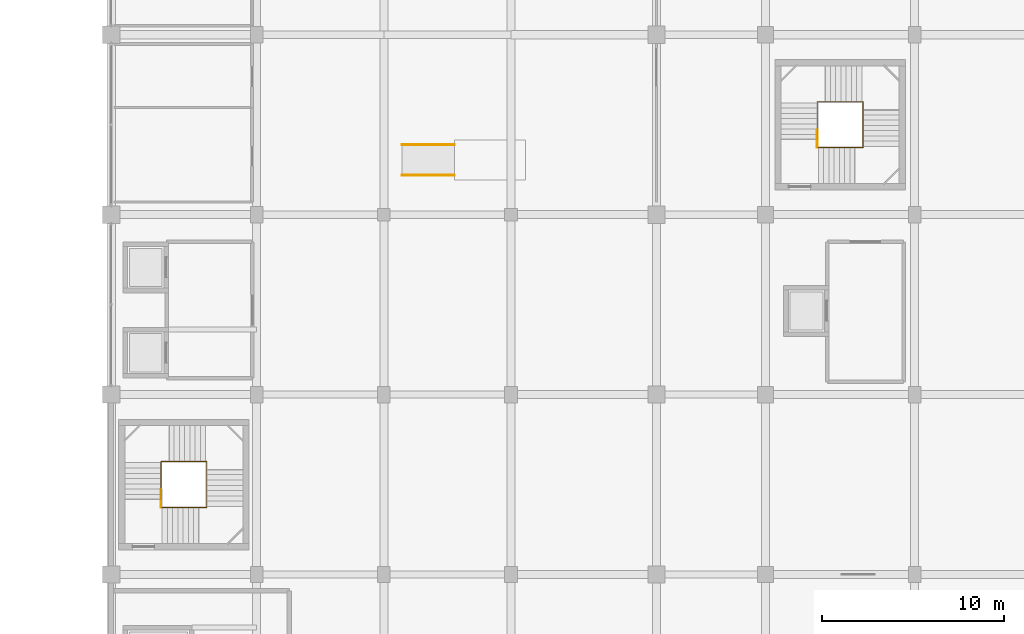
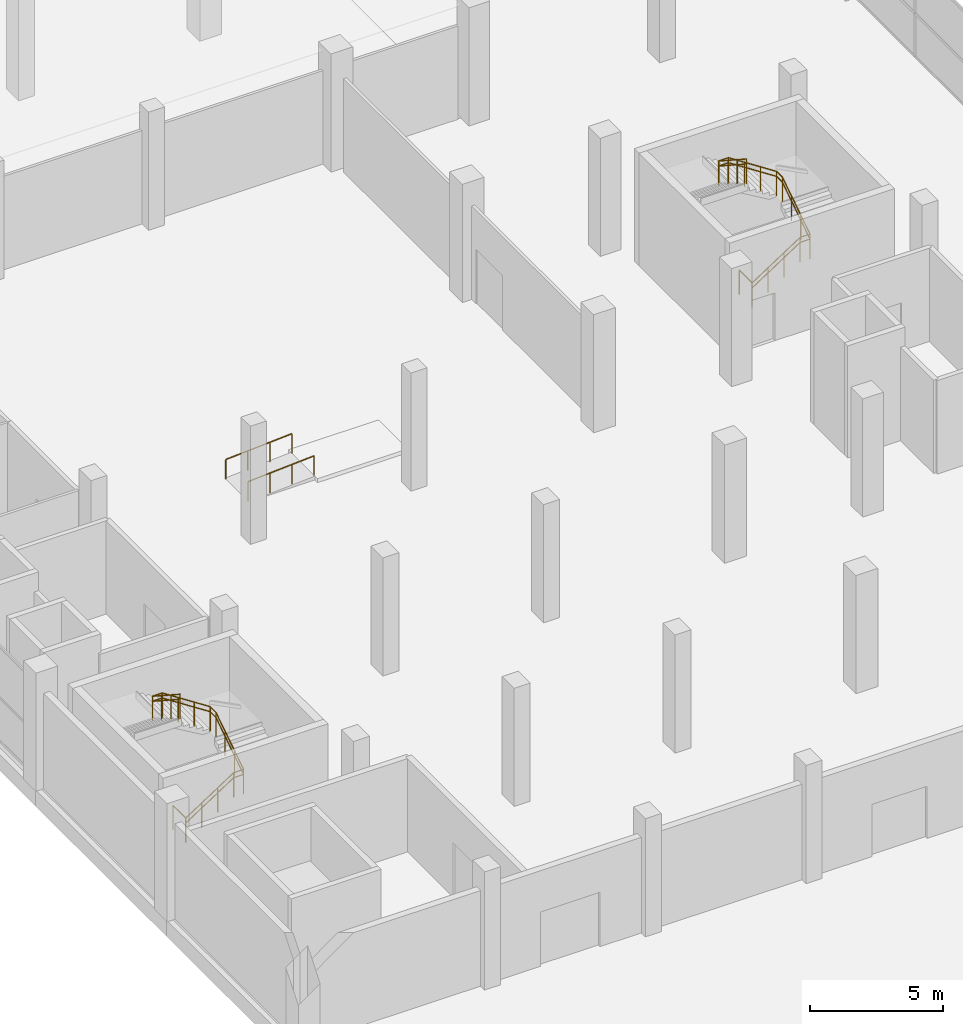
# One storey, part 46 of 50: 8 railings.
"""IFC4 building model written with IfcOpenShell, lengths in metres."""

from ifc_helpers import new_model, si_unit, direction, frame, origin, origin_2d, place, context, subcontext, project, spatial, circle, extrude, material, type_object, element, save


model = new_model("IFC4")

# Units and contexts
model_context = context("Model", 3, precision=1e-05, world=origin(), true_north=direction((0.0, 1.0)))
body_context = subcontext(model_context, "Body", "Model", "MODEL_VIEW")
ifc_project = project(units=[si_unit("LENGTHUNIT", "METRE"), si_unit("AREAUNIT", "SQUARE_METRE"), si_unit("VOLUMEUNIT", "CUBIC_METRE"), si_unit("PLANEANGLEUNIT", "RADIAN"), si_unit("MASSUNIT", "GRAM", prefix="KILO")], contexts=[model_context])

# Site, building, storey
site_placement = place(None, origin())
site = spatial("IfcSite", under=ifc_project, at=site_placement, CompositionType="ELEMENT")
building_placement = place(site_placement, origin())
building = spatial("IfcBuilding", under=site, at=building_placement, Name="Sillaruma Civic Art Gallery", CompositionType="ELEMENT")
storey_placement = place(building_placement, origin())
storey = spatial("IfcBuildingStorey", under=building, at=storey_placement, Name="L00", CompositionType="ELEMENT", Elevation=0.0)

# Railings
ifc_material = material(Name="Stainless Steel AISI 316", Category="steel")
railing_type_1 = type_object("IfcRailingType", Name="RAL-BAL-1150", PredefinedType="BALUSTRADE", material=ifc_material)
railing_1_placement = place(storey_placement, frame((64.739990234375, 33.389892578125, 0.0)))
element("IfcRailing", 1, at=railing_1_placement, inside=storey, type_object=railing_type_1, Name="Stair Floor Edge Guard (ST-03:L00)", PredefinedType="BALUSTRADE", context=body_context, shape_type="SweptSolid", body=[
    extrude(circle(Radius=0.02392578125, at=origin_2d()), frame((0.0, 0.0, 1.1259765625), z_axis=(0.0, 1.0, 0.0), x_axis=(-1.0, 0.0, 0.0)), (0.0, 0.0, 1.0), 0.97021484375),
    extrude(circle(Radius=0.02099609375, at=origin_2d()), origin(), (0.0, 0.0, 1.0), 1.101806640625),
    extrude(circle(Radius=0.02099609375, at=origin_2d()), frame((0.0, 0.97021484375, 0.0)), (0.0, 0.0, 1.0), 1.101806640625),
])
railing_2_placement = place(storey_placement, frame((64.739990234375, 33.389892578125, 0.0)))
element("IfcRailing", 2, at=railing_2_placement, inside=storey, type_object=railing_type_1, Name="Stair Well Balustrade (ST-03-L00)", PredefinedType="BALUSTRADE", context=body_context, shape_type="SweptSolid", body=[
    extrude(circle(Radius=0.02392578125, at=origin_2d()), frame((0.0, 0.0, 1.1259765625), z_axis=(0.838159424827, 0.0, 0.545425318971), x_axis=(0.0, 1.0, 0.0)), (0.0, 0.0, 1.0), 2.49365234375),
    extrude(circle(Radius=0.02392578125, at=origin_2d()), frame((2.090087890625, 0.0, 2.48583984375), z_axis=(1.0, 0.0, 0.0), x_axis=(0.0, 1.0, 0.0)), (0.0, 0.0, 1.0), 0.429931640625),
    extrude(circle(Radius=0.02392578125, at=origin_2d()), frame((2.52001953125, 0.0, 2.48583984375), z_axis=(0.0, 0.838204181713, 0.545356534534), x_axis=(-1.0, 0.0, 0.0)), (0.0, 0.0, 1.0), 2.49365234375),
    extrude(circle(Radius=0.02392578125, at=origin_2d()), frame((2.52001953125, 2.090087890625, 3.845703125), z_axis=(0.0, 1.0, 0.0), x_axis=(-1.0, 0.0, 0.0)), (0.0, 0.0, 1.0), 0.429931640625),
    extrude(circle(Radius=0.02392578125, at=origin_2d()), frame((2.52001953125, 2.52001953125, 3.845703125), z_axis=(-0.838159424827, 0.0, 0.545425318971), x_axis=(0.0, -1.0, 0.0)), (0.0, 0.0, 1.0), 2.49365234375),
    extrude(circle(Radius=0.02392578125, at=origin_2d()), frame((0.429931640625, 2.52001953125, 5.2060546875), z_axis=(-1.0, 0.0, 0.0), x_axis=(0.0, -1.0, 0.0)), (0.0, 0.0, 1.0), 0.429931640625),
    extrude(circle(Radius=0.02392578125, at=origin_2d()), frame((0.0, 2.52001953125, 5.2060546875), z_axis=(0.0, -0.838175058464, 0.545401293883), x_axis=(1.0, 0.0, 0.0)), (0.0, 0.0, 1.0), 2.493408203125),
    extrude(circle(Radius=0.02099609375, at=origin_2d()), origin(), (0.0, 0.0, 1.0), 1.101806640625),
    extrude(circle(Radius=0.02099609375, at=origin_2d()), frame((0.69677734375, 0.0, 0.453369140625)), (0.0, 0.0, 1.0), 1.101806640625),
    extrude(circle(Radius=0.02099609375, at=origin_2d()), frame((1.393310546875, 0.0, 0.90673828125)), (0.0, 0.0, 1.0), 1.101806640625),
    extrude(circle(Radius=0.02099609375, at=origin_2d()), frame((2.090087890625, 0.0, 1.360107421875)), (0.0, 0.0, 1.0), 1.101806640625),
    extrude(circle(Radius=0.02099609375, at=origin_2d()), frame((2.52001953125, 0.0, 1.360107421875)), (0.0, 0.0, 1.0), 1.101806640625),
    extrude(circle(Radius=0.02099609375, at=origin_2d()), frame((2.52001953125, 0.69677734375, 1.8134765625)), (0.0, 0.0, 1.0), 1.101806640625),
    extrude(circle(Radius=0.02099609375, at=origin_2d()), frame((2.52001953125, 1.393310546875, 2.2666015625)), (0.0, 0.0, 1.0), 1.101806640625),
    extrude(circle(Radius=0.02099609375, at=origin_2d()), frame((2.52001953125, 2.090087890625, 2.719970703125)), (0.0, 0.0, 1.0), 1.101806640625),
    extrude(circle(Radius=0.02099609375, at=origin_2d()), frame((2.52001953125, 2.52001953125, 2.719970703125)), (0.0, 0.0, 1.0), 1.101806640625),
    extrude(circle(Radius=0.02099609375, at=origin_2d()), frame((1.8232421875, 2.52001953125, 3.17333984375)), (0.0, 0.0, 1.0), 1.101806640625),
    extrude(circle(Radius=0.02099609375, at=origin_2d()), frame((1.126708984375, 2.52001953125, 3.626708984375)), (0.0, 0.0, 1.0), 1.101806640625),
    extrude(circle(Radius=0.02099609375, at=origin_2d()), frame((0.429931640625, 2.52001953125, 4.080078125)), (0.0, 0.0, 1.0), 1.101806640625),
    extrude(circle(Radius=0.02099609375, at=origin_2d()), frame((0.0, 2.52001953125, 4.080078125)), (0.0, 0.0, 1.0), 1.101806640625),
    extrude(circle(Radius=0.02099609375, at=origin_2d()), frame((0.0, 1.823486328125, 4.533447265625)), (0.0, 0.0, 1.0), 1.101806640625),
    extrude(circle(Radius=0.02099609375, at=origin_2d()), frame((0.0, 1.126708984375, 4.986572265625)), (0.0, 0.0, 1.0), 1.101806640625),
    extrude(circle(Radius=0.02099609375, at=origin_2d()), frame((0.0, 0.43017578125, 5.43994140625)), (0.0, 0.0, 1.0), 1.101806640625),
])
railing_3_placement = place(storey_placement, frame((100.840087890625, 53.18994140625, 0.0)))
element("IfcRailing", 3, at=railing_3_placement, inside=storey, type_object=railing_type_1, Name="Stair Floor Edge Guard (ST-04:L00)", PredefinedType="BALUSTRADE", context=body_context, shape_type="SweptSolid", body=[
    extrude(circle(Radius=0.02392578125, at=origin_2d()), frame((0.0, 0.0, 1.1259765625), z_axis=(0.0, 1.0, 0.0), x_axis=(-1.0, 0.0, 0.0)), (0.0, 0.0, 1.0), 0.969970703125),
    extrude(circle(Radius=0.02099609375, at=origin_2d()), origin(), (0.0, 0.0, 1.0), 1.101806640625),
    extrude(circle(Radius=0.02099609375, at=origin_2d()), frame((0.0, 0.969970703125, 0.0)), (0.0, 0.0, 1.0), 1.101806640625),
])
railing_4_placement = place(storey_placement, frame((100.840087890625, 53.18994140625, 0.0)))
element("IfcRailing", 4, at=railing_4_placement, inside=storey, type_object=railing_type_1, Name="Stair Well Balustrade (ST-04-L00)", PredefinedType="BALUSTRADE", context=body_context, shape_type="SweptSolid", body=[
    extrude(circle(Radius=0.02392578125, at=origin_2d()), frame((0.0, 0.0, 1.1259765625), z_axis=(0.838130295786, 0.0, 0.545470079185), x_axis=(0.0, 1.0, 0.0)), (0.0, 0.0, 1.0), 2.493408203125),
    extrude(circle(Radius=0.02392578125, at=origin_2d()), frame((2.08984375, 0.0, 2.48583984375), z_axis=(1.0, 0.0, 0.0), x_axis=(0.0, 1.0, 0.0)), (0.0, 0.0, 1.0), 0.43017578125),
    extrude(circle(Radius=0.02392578125, at=origin_2d()), frame((2.52001953125, 0.0, 2.48583984375), z_axis=(0.0, 0.838204181713, 0.545356534534), x_axis=(-1.0, 0.0, 0.0)), (0.0, 0.0, 1.0), 2.49365234375),
    extrude(circle(Radius=0.02392578125, at=origin_2d()), frame((2.52001953125, 2.090087890625, 3.845703125), z_axis=(0.0, 1.0, 0.0), x_axis=(-1.0, 0.0, 0.0)), (0.0, 0.0, 1.0), 0.429931640625),
    extrude(circle(Radius=0.02392578125, at=origin_2d()), frame((2.52001953125, 2.52001953125, 3.845703125), z_axis=(-0.838159424827, 0.0, 0.545425318971), x_axis=(0.0, -1.0, 0.0)), (0.0, 0.0, 1.0), 2.49365234375),
    extrude(circle(Radius=0.02392578125, at=origin_2d()), frame((0.429931640625, 2.52001953125, 5.2060546875), z_axis=(-1.0, 0.0, 0.0), x_axis=(0.0, -1.0, 0.0)), (0.0, 0.0, 1.0), 0.429931640625),
    extrude(circle(Radius=0.02392578125, at=origin_2d()), frame((0.0, 2.52001953125, 5.2060546875), z_axis=(0.0, -0.838175058464, 0.545401293883), x_axis=(1.0, 0.0, 0.0)), (0.0, 0.0, 1.0), 2.493408203125),
    extrude(circle(Radius=0.02099609375, at=origin_2d()), origin(), (0.0, 0.0, 1.0), 1.101806640625),
    extrude(circle(Radius=0.02099609375, at=origin_2d()), frame((0.696533203125, 0.0, 0.453369140625)), (0.0, 0.0, 1.0), 1.101806640625),
    extrude(circle(Radius=0.02099609375, at=origin_2d()), frame((1.393310546875, 0.0, 0.90673828125)), (0.0, 0.0, 1.0), 1.101806640625),
    extrude(circle(Radius=0.02099609375, at=origin_2d()), frame((2.08984375, 0.0, 1.360107421875)), (0.0, 0.0, 1.0), 1.101806640625),
    extrude(circle(Radius=0.02099609375, at=origin_2d()), frame((2.52001953125, 0.0, 1.360107421875)), (0.0, 0.0, 1.0), 1.101806640625),
    extrude(circle(Radius=0.02099609375, at=origin_2d()), frame((2.52001953125, 0.69677734375, 1.8134765625)), (0.0, 0.0, 1.0), 1.101806640625),
    extrude(circle(Radius=0.02099609375, at=origin_2d()), frame((2.52001953125, 1.393310546875, 2.2666015625)), (0.0, 0.0, 1.0), 1.101806640625),
    extrude(circle(Radius=0.02099609375, at=origin_2d()), frame((2.52001953125, 2.090087890625, 2.719970703125)), (0.0, 0.0, 1.0), 1.101806640625),
    extrude(circle(Radius=0.02099609375, at=origin_2d()), frame((2.52001953125, 2.52001953125, 2.719970703125)), (0.0, 0.0, 1.0), 1.101806640625),
    extrude(circle(Radius=0.02099609375, at=origin_2d()), frame((1.8232421875, 2.52001953125, 3.17333984375)), (0.0, 0.0, 1.0), 1.101806640625),
    extrude(circle(Radius=0.02099609375, at=origin_2d()), frame((1.126708984375, 2.52001953125, 3.626708984375)), (0.0, 0.0, 1.0), 1.101806640625),
    extrude(circle(Radius=0.02099609375, at=origin_2d()), frame((0.429931640625, 2.52001953125, 4.080078125)), (0.0, 0.0, 1.0), 1.101806640625),
    extrude(circle(Radius=0.02099609375, at=origin_2d()), frame((0.0, 2.52001953125, 4.080078125)), (0.0, 0.0, 1.0), 1.101806640625),
    extrude(circle(Radius=0.02099609375, at=origin_2d()), frame((0.0, 1.823486328125, 4.533447265625)), (0.0, 0.0, 1.0), 1.101806640625),
    extrude(circle(Radius=0.02099609375, at=origin_2d()), frame((0.0, 1.126708984375, 4.986572265625)), (0.0, 0.0, 1.0), 1.101806640625),
    extrude(circle(Radius=0.02099609375, at=origin_2d()), frame((0.0, 0.43017578125, 5.43994140625)), (0.0, 0.0, 1.0), 1.101806640625),
])
railing_type_2 = type_object("IfcRailingType", Name="RAL-HND-920", PredefinedType="HANDRAIL", material=ifc_material)
for number, where, name in (
    (5, (78.0, 51.659912109375, 0.0), "Sculpture Court Plinth Accessible Ramp RMP-SC1 Handrail 1"),
    (6, (78.0, 53.340087890625, 0.0), "Sculpture Court Plinth Accessible Ramp RMP-SC1 Handrail 2"),
):
    element("IfcRailing", number, at=place(storey_placement, frame(where)), inside=storey, type_object=railing_type_2, Name=name, PredefinedType="HANDRAIL", context=body_context, shape_type="SweptSolid", body=[
        extrude(circle(Radius=0.02392578125, at=origin_2d()), frame((0.0, 0.0, 0.89599609375), z_axis=(0.99805389514, 0.0, 0.062357216066), x_axis=(0.0, 1.0, 0.0)), (0.0, 0.0, 1.0), 2.885498046875),
        extrude(circle(Radius=0.02099609375, at=origin_2d()), origin(), (0.0, 0.0, 1.0), 0.871826171875),
        extrude(circle(Radius=0.02099609375, at=origin_2d()), frame((0.9599609375, 0.0, 0.06005859375)), (0.0, 0.0, 1.0), 0.871826171875),
        extrude(circle(Radius=0.02099609375, at=origin_2d()), frame((1.919921875, 0.0, 0.119873046875)), (0.0, 0.0, 1.0), 0.871826171875),
        extrude(circle(Radius=0.02099609375, at=origin_2d()), frame((2.8798828125, 0.0, 0.179931640625)), (0.0, 0.0, 1.0), 0.871826171875),
    ])
railing_5_placement = place(storey_placement, frame((64.739990234375, 33.389892578125, 0.0)))
element("IfcRailing", 7, at=railing_5_placement, inside=storey, type_object=railing_type_2, Name="Stair Continuous Handrail (ST-03-L00)", PredefinedType="HANDRAIL", context=body_context, shape_type="SweptSolid", body=[
    extrude(circle(Radius=0.02392578125, at=origin_2d()), frame((0.0, 0.0, 0.89599609375), z_axis=(0.838159424827, 0.0, 0.545425318971), x_axis=(0.0, 1.0, 0.0)), (0.0, 0.0, 1.0), 2.49365234375),
    extrude(circle(Radius=0.02392578125, at=origin_2d()), frame((2.090087890625, 0.0, 2.255859375), z_axis=(1.0, 0.0, 0.0), x_axis=(0.0, 1.0, 0.0)), (0.0, 0.0, 1.0), 0.429931640625),
    extrude(circle(Radius=0.02392578125, at=origin_2d()), frame((2.52001953125, 0.0, 2.255859375), z_axis=(0.0, 0.838204181713, 0.545356534534), x_axis=(-1.0, 0.0, 0.0)), (0.0, 0.0, 1.0), 2.49365234375),
    extrude(circle(Radius=0.02392578125, at=origin_2d()), frame((2.52001953125, 2.090087890625, 3.61572265625), z_axis=(0.0, 1.0, 0.0), x_axis=(-1.0, 0.0, 0.0)), (0.0, 0.0, 1.0), 0.429931640625),
    extrude(circle(Radius=0.02392578125, at=origin_2d()), frame((2.52001953125, 2.52001953125, 3.61572265625), z_axis=(-0.838159424827, 0.0, 0.545425318971), x_axis=(0.0, -1.0, 0.0)), (0.0, 0.0, 1.0), 2.49365234375),
    extrude(circle(Radius=0.02392578125, at=origin_2d()), frame((0.429931640625, 2.52001953125, 4.97607421875), z_axis=(-1.0, 0.0, 0.0), x_axis=(0.0, -1.0, 0.0)), (0.0, 0.0, 1.0), 0.429931640625),
    extrude(circle(Radius=0.02392578125, at=origin_2d()), frame((0.0, 2.52001953125, 4.97607421875), z_axis=(0.0, -0.838175058464, 0.545401293883), x_axis=(1.0, 0.0, 0.0)), (0.0, 0.0, 1.0), 2.493408203125),
    extrude(circle(Radius=0.02099609375, at=origin_2d()), origin(), (0.0, 0.0, 1.0), 0.871826171875),
    extrude(circle(Radius=0.02099609375, at=origin_2d()), frame((0.69677734375, 0.0, 0.453369140625)), (0.0, 0.0, 1.0), 0.871826171875),
    extrude(circle(Radius=0.02099609375, at=origin_2d()), frame((1.393310546875, 0.0, 0.90673828125)), (0.0, 0.0, 1.0), 0.871826171875),
    extrude(circle(Radius=0.02099609375, at=origin_2d()), frame((2.090087890625, 0.0, 1.360107421875)), (0.0, 0.0, 1.0), 0.871826171875),
    extrude(circle(Radius=0.02099609375, at=origin_2d()), frame((2.52001953125, 0.0, 1.360107421875)), (0.0, 0.0, 1.0), 0.871826171875),
    extrude(circle(Radius=0.02099609375, at=origin_2d()), frame((2.52001953125, 0.69677734375, 1.8134765625)), (0.0, 0.0, 1.0), 0.871826171875),
    extrude(circle(Radius=0.02099609375, at=origin_2d()), frame((2.52001953125, 1.393310546875, 2.2666015625)), (0.0, 0.0, 1.0), 0.871826171875),
    extrude(circle(Radius=0.02099609375, at=origin_2d()), frame((2.52001953125, 2.090087890625, 2.719970703125)), (0.0, 0.0, 1.0), 0.871826171875),
    extrude(circle(Radius=0.02099609375, at=origin_2d()), frame((2.52001953125, 2.52001953125, 2.719970703125)), (0.0, 0.0, 1.0), 0.871826171875),
    extrude(circle(Radius=0.02099609375, at=origin_2d()), frame((1.8232421875, 2.52001953125, 3.17333984375)), (0.0, 0.0, 1.0), 0.871826171875),
    extrude(circle(Radius=0.02099609375, at=origin_2d()), frame((1.126708984375, 2.52001953125, 3.626708984375)), (0.0, 0.0, 1.0), 0.871826171875),
    extrude(circle(Radius=0.02099609375, at=origin_2d()), frame((0.429931640625, 2.52001953125, 4.080078125)), (0.0, 0.0, 1.0), 0.871826171875),
    extrude(circle(Radius=0.02099609375, at=origin_2d()), frame((0.0, 2.52001953125, 4.080078125)), (0.0, 0.0, 1.0), 0.871826171875),
    extrude(circle(Radius=0.02099609375, at=origin_2d()), frame((0.0, 1.823486328125, 4.533447265625)), (0.0, 0.0, 1.0), 0.871826171875),
    extrude(circle(Radius=0.02099609375, at=origin_2d()), frame((0.0, 1.126708984375, 4.986572265625)), (0.0, 0.0, 1.0), 0.871826171875),
    extrude(circle(Radius=0.02099609375, at=origin_2d()), frame((0.0, 0.43017578125, 5.43994140625)), (0.0, 0.0, 1.0), 0.871826171875),
])
railing_6_placement = place(storey_placement, frame((100.840087890625, 53.18994140625, 0.0)))
element("IfcRailing", 8, at=railing_6_placement, inside=storey, type_object=railing_type_2, Name="Stair Continuous Handrail (ST-04-L00)", PredefinedType="HANDRAIL", context=body_context, shape_type="SweptSolid", body=[
    extrude(circle(Radius=0.02392578125, at=origin_2d()), frame((0.0, 0.0, 0.89599609375), z_axis=(0.838130295786, 0.0, 0.545470079185), x_axis=(0.0, 1.0, 0.0)), (0.0, 0.0, 1.0), 2.493408203125),
    extrude(circle(Radius=0.02392578125, at=origin_2d()), frame((2.08984375, 0.0, 2.255859375), z_axis=(1.0, 0.0, 0.0), x_axis=(0.0, 1.0, 0.0)), (0.0, 0.0, 1.0), 0.43017578125),
    extrude(circle(Radius=0.02392578125, at=origin_2d()), frame((2.52001953125, 0.0, 2.255859375), z_axis=(0.0, 0.838204181713, 0.545356534534), x_axis=(-1.0, 0.0, 0.0)), (0.0, 0.0, 1.0), 2.49365234375),
    extrude(circle(Radius=0.02392578125, at=origin_2d()), frame((2.52001953125, 2.090087890625, 3.61572265625), z_axis=(0.0, 1.0, 0.0), x_axis=(-1.0, 0.0, 0.0)), (0.0, 0.0, 1.0), 0.429931640625),
    extrude(circle(Radius=0.02392578125, at=origin_2d()), frame((2.52001953125, 2.52001953125, 3.61572265625), z_axis=(-0.838159424827, 0.0, 0.545425318971), x_axis=(0.0, -1.0, 0.0)), (0.0, 0.0, 1.0), 2.49365234375),
    extrude(circle(Radius=0.02392578125, at=origin_2d()), frame((0.429931640625, 2.52001953125, 4.97607421875), z_axis=(-1.0, 0.0, 0.0), x_axis=(0.0, -1.0, 0.0)), (0.0, 0.0, 1.0), 0.429931640625),
    extrude(circle(Radius=0.02392578125, at=origin_2d()), frame((0.0, 2.52001953125, 4.97607421875), z_axis=(0.0, -0.838175058464, 0.545401293883), x_axis=(1.0, 0.0, 0.0)), (0.0, 0.0, 1.0), 2.493408203125),
    extrude(circle(Radius=0.02099609375, at=origin_2d()), origin(), (0.0, 0.0, 1.0), 0.871826171875),
    extrude(circle(Radius=0.02099609375, at=origin_2d()), frame((0.696533203125, 0.0, 0.453369140625)), (0.0, 0.0, 1.0), 0.871826171875),
    extrude(circle(Radius=0.02099609375, at=origin_2d()), frame((1.393310546875, 0.0, 0.90673828125)), (0.0, 0.0, 1.0), 0.871826171875),
    extrude(circle(Radius=0.02099609375, at=origin_2d()), frame((2.08984375, 0.0, 1.360107421875)), (0.0, 0.0, 1.0), 0.871826171875),
    extrude(circle(Radius=0.02099609375, at=origin_2d()), frame((2.52001953125, 0.0, 1.360107421875)), (0.0, 0.0, 1.0), 0.871826171875),
    extrude(circle(Radius=0.02099609375, at=origin_2d()), frame((2.52001953125, 0.69677734375, 1.8134765625)), (0.0, 0.0, 1.0), 0.871826171875),
    extrude(circle(Radius=0.02099609375, at=origin_2d()), frame((2.52001953125, 1.393310546875, 2.2666015625)), (0.0, 0.0, 1.0), 0.871826171875),
    extrude(circle(Radius=0.02099609375, at=origin_2d()), frame((2.52001953125, 2.090087890625, 2.719970703125)), (0.0, 0.0, 1.0), 0.871826171875),
    extrude(circle(Radius=0.02099609375, at=origin_2d()), frame((2.52001953125, 2.52001953125, 2.719970703125)), (0.0, 0.0, 1.0), 0.871826171875),
    extrude(circle(Radius=0.02099609375, at=origin_2d()), frame((1.8232421875, 2.52001953125, 3.17333984375)), (0.0, 0.0, 1.0), 0.871826171875),
    extrude(circle(Radius=0.02099609375, at=origin_2d()), frame((1.126708984375, 2.52001953125, 3.626708984375)), (0.0, 0.0, 1.0), 0.871826171875),
    extrude(circle(Radius=0.02099609375, at=origin_2d()), frame((0.429931640625, 2.52001953125, 4.080078125)), (0.0, 0.0, 1.0), 0.871826171875),
    extrude(circle(Radius=0.02099609375, at=origin_2d()), frame((0.0, 2.52001953125, 4.080078125)), (0.0, 0.0, 1.0), 0.871826171875),
    extrude(circle(Radius=0.02099609375, at=origin_2d()), frame((0.0, 1.823486328125, 4.533447265625)), (0.0, 0.0, 1.0), 0.871826171875),
    extrude(circle(Radius=0.02099609375, at=origin_2d()), frame((0.0, 1.126708984375, 4.986572265625)), (0.0, 0.0, 1.0), 0.871826171875),
    extrude(circle(Radius=0.02099609375, at=origin_2d()), frame((0.0, 0.43017578125, 5.43994140625)), (0.0, 0.0, 1.0), 0.871826171875),
])

save(model, "model.ifc")
